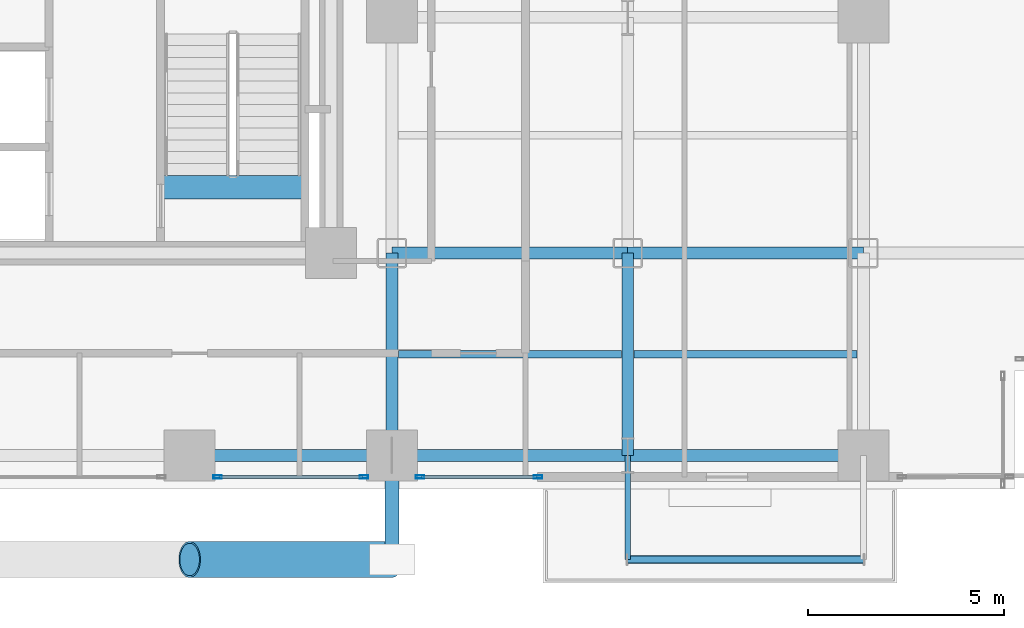
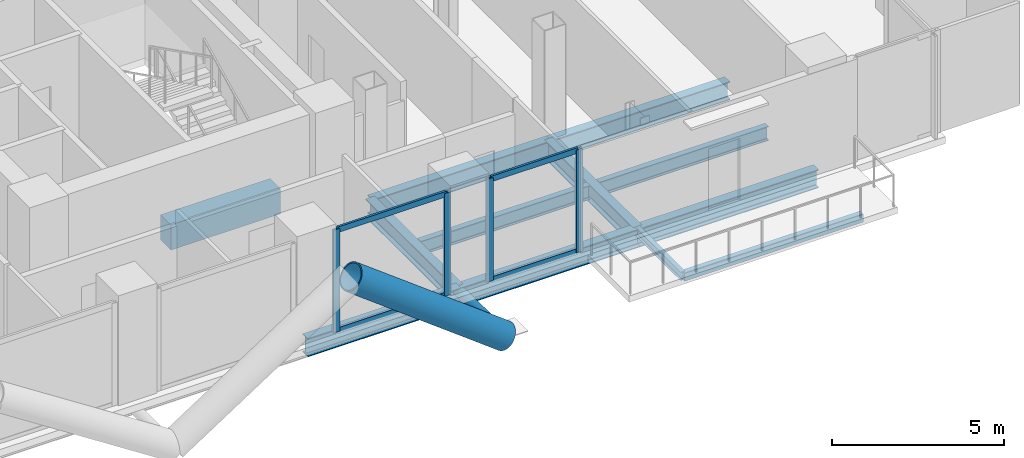
# One storey, part 8 of 27: 12 beams, 10 members, 2 elements without a shape of their own.
"""IFC4 building model written with IfcOpenShell, lengths in metres."""

from ifc_helpers import new_model, si_unit, direction, frame, origin, origin_2d, place, context, subcontext, project, spatial, rectangle, hollow_rectangle, hollow_circle, i_section, extrude, material, layer, layer_set, material_profile, profile_set, type_object, element, aggregate, save


model = new_model("IFC4")

# Units and contexts
model_context = context("Model", 3, precision=1e-05, world=origin(), true_north=direction((0.0, 1.0)))
body_context = subcontext(model_context, "Body", "Model", "MODEL_VIEW")
ifc_project = project(units=[si_unit("LENGTHUNIT", "METRE"), si_unit("AREAUNIT", "SQUARE_METRE"), si_unit("VOLUMEUNIT", "CUBIC_METRE"), si_unit("PLANEANGLEUNIT", "RADIAN"), si_unit("MASSUNIT", "GRAM", prefix="KILO"), si_unit("THERMODYNAMICTEMPERATUREUNIT", "KELVIN"), si_unit("POWERUNIT", "WATT")], contexts=[model_context])

# Site, building, storey
site_placement = place(None, origin())
site = spatial("IfcSite", under=ifc_project, at=site_placement, CompositionType="ELEMENT")
building_placement = place(site_placement, origin())
building = spatial("IfcBuilding", under=site, at=building_placement, Name="Svarakhadi Broadcast Tower", CompositionType="ELEMENT")
storey_placement = place(building_placement, frame((0.0, 0.0, 44.10009765625)))
storey = spatial("IfcBuildingStorey", under=building, at=storey_placement, Name="L09", CompositionType="ELEMENT", Elevation=44.10009765625)

# Beams
ifc_material_1 = material(Name="Steel S355J2 (IS 2062 E350C)", Category="steel")
ifc_material_profile_1 = material_profile(ifc_material_1, i_section(OverallWidth=0.199951171875, OverallDepth=0.5, WebThickness=0.01025390625, FlangeThickness=0.01611328125, FilletRadius=0.02099609375, at=origin_2d()), Name="NPB 500x200x91")
ifc_profile_set_1 = profile_set([ifc_material_profile_1], Name="Steel S355J2 (IS 2062 E350C)")
beam_type_1 = type_object("IfcBeamType", Name="Beam_NPB500", PredefinedType="BEAM", material=ifc_profile_set_1)
for number, where, z_axis, x_axis, name in (
    (1, (35.31005859375, 3.425048828125, -0.5), (1.0, 0.0, 0.0), (0.0, 1.0, 0.0), "L09 Secondary Composite Beam SB022"),
    (2, (41.31005859375, 3.425048828125, -0.5), (1.0, 0.0, 0.0), (0.0, 1.0, 0.0), "L09 Secondary Composite Beam SB025"),
):
    element("IfcBeam", number, at=place(storey_placement, frame(where, z_axis=z_axis, x_axis=x_axis)), inside=storey, type_object=beam_type_1, Name=name, PredefinedType="BEAM", context=body_context, shape_type="SweptSolid", body=[
        extrude(i_section(OverallWidth=0.199951171875, OverallDepth=0.5, WebThickness=0.01025390625, FlangeThickness=0.01611328125, FilletRadius=0.02099609375, at=origin_2d()), origin(), (0.0, 0.0, 1.0), 5.679931640625),
    ])

# Curtain wall, members
ifc_material_2 = material(Name="Anodised Bronze Aluminium AA 6063-T6", Category="aluminium")
ifc_layer = layer(ifc_material_2, 0.219970703125)
ifc_layer_set = layer_set([ifc_layer], Name="Anodised Bronze Aluminium AA 6063-T6")
curtain_wall_type = type_object("IfcCurtainWallType", Name="CW_Sys_02", PredefinedType="NOTDEFINED", material=ifc_layer_set)
curtain_wall_1_placement = place(storey_placement, origin())
curtain_wall_1 = element("IfcCurtainWall", 3, at=curtain_wall_1_placement, inside=storey, type_object=curtain_wall_type, Name="L09 South Curtain Wall 17 Bay 1", PredefinedType="NOTDEFINED")
ifc_material_profile_2 = material_profile(ifc_material_2, hollow_rectangle(XDim=0.0849609375, YDim=0.219970703125, WallThickness=0.006103515625, at=origin_2d()), Name="ALU MULLION 220x85x6")
ifc_profile_set_2 = profile_set([ifc_material_profile_2], Name="Anodised Bronze Aluminium AA 6063-T6")
member_type_1 = type_object("IfcMemberType", Name="CW_Sys_02_Mul", PredefinedType="MULLION", material=ifc_profile_set_2)
member_1_placement = place(storey_placement, frame((38.867431640625, 0.300048828125, 0.0), z_axis=(0.0, 0.0, 1.0), x_axis=(0.0, -1.0, 0.0)))
member_1 = element("IfcMember", 4, at=member_1_placement, type_object=member_type_1, Name="CW-02 mullion 1", PredefinedType="MULLION", context=body_context, shape_type="SweptSolid", body=[
    extrude(hollow_rectangle(XDim=0.0849609375, YDim=0.219970703125, WallThickness=0.006103515625, at=origin_2d()), origin(), (0.0, 0.0, 1.0), 3.64990234375),
])
member_2_placement = place(storey_placement, frame((35.862548828125, 0.300048828125, 0.0), z_axis=(0.0, 0.0, 1.0), x_axis=(0.0, -1.0, 0.0)))
member_2 = element("IfcMember", 5, at=member_2_placement, type_object=member_type_1, Name="CW-02 mullion 2", PredefinedType="MULLION", context=body_context, shape_type="SweptSolid", body=[
    extrude(hollow_rectangle(XDim=0.0849609375, YDim=0.219970703125, WallThickness=0.006103515625, at=origin_2d()), origin(), (0.0, 0.0, 1.0), 3.64990234375),
])

curtain_wall_2_placement = place(storey_placement, origin())
curtain_wall_2 = element("IfcCurtainWall", 6, at=curtain_wall_2_placement, inside=storey, type_object=curtain_wall_type, Name="L09 South Curtain Wall 17 Bay 2", PredefinedType="NOTDEFINED")
member_3_placement = place(storey_placement, frame((34.4375, 0.300048828125, 0.0), z_axis=(0.0, 0.0, 1.0), x_axis=(0.0, -1.0, 0.0)))
member_3 = element("IfcMember", 7, at=member_3_placement, type_object=member_type_1, Name="CW-02 mullion 1", PredefinedType="MULLION", context=body_context, shape_type="SweptSolid", body=[
    extrude(hollow_rectangle(XDim=0.0849609375, YDim=0.219970703125, WallThickness=0.006103515625, at=origin_2d()), origin(), (0.0, 0.0, 1.0), 3.64990234375),
])
member_4_placement = place(storey_placement, frame((30.71240234375, 0.300048828125, 0.0), z_axis=(0.0, 0.0, 1.0), x_axis=(0.0, -1.0, 0.0)))
member_4 = element("IfcMember", 8, at=member_4_placement, type_object=member_type_1, Name="CW-02 mullion 2", PredefinedType="MULLION", context=body_context, shape_type="SweptSolid", body=[
    extrude(hollow_rectangle(XDim=0.0849609375, YDim=0.219970703125, WallThickness=0.006103515625, at=origin_2d()), origin(), (0.0, 0.0, 1.0), 3.64990234375),
])

# Member
ifc_material_profile_3 = material_profile(ifc_material_2, hollow_rectangle(XDim=0.074951171875, YDim=0.199951171875, WallThickness=0.0048828125, at=origin_2d()), Name="ALU TRANSOM 200x75x5")
ifc_profile_set_3 = profile_set([ifc_material_profile_3], Name="Anodised Bronze Aluminium AA 6063-T6")
member_type_2 = type_object("IfcMemberType", Name="CW_Sys_02_Trn", PredefinedType="USERDEFINED", material=ifc_profile_set_3)
member_5_placement = place(storey_placement, frame((38.824951171875, 0.300048828125, 0.037353515625), z_axis=(-1.0, 0.0, 0.0), x_axis=(0.0, -1.0, 0.0)))
member_5 = element("IfcMember", 9, at=member_5_placement, type_object=member_type_2, Name="CW-02 transom 1.1", ObjectType="TRANSOM", PredefinedType="USERDEFINED", context=body_context, shape_type="SweptSolid", body=[
    extrude(hollow_rectangle(XDim=0.074951171875, YDim=0.199951171875, WallThickness=0.0048828125, at=origin_2d()), origin(), (0.0, 0.0, 1.0), 2.919921875),
])

member_6_placement = place(storey_placement, frame((38.824951171875, 0.300048828125, 3.6123046875), z_axis=(-1.0, 0.0, 0.0), x_axis=(0.0, -1.0, 0.0)))
member_6 = element("IfcMember", 10, at=member_6_placement, type_object=member_type_2, Name="CW-02 transom 1.2", ObjectType="TRANSOM", PredefinedType="USERDEFINED", context=body_context, shape_type="SweptSolid", body=[
    extrude(hollow_rectangle(XDim=0.074951171875, YDim=0.199951171875, WallThickness=0.0048828125, at=origin_2d()), origin(), (0.0, 0.0, 1.0), 2.919921875),
])

aggregate(curtain_wall_1, [member_1, member_2, member_5, member_6])

member_7_placement = place(storey_placement, frame((34.39501953125, 0.300048828125, 0.037353515625), z_axis=(-1.0, 0.0, 0.0), x_axis=(0.0, -1.0, 0.0)))
member_7 = element("IfcMember", 11, at=member_7_placement, type_object=member_type_2, Name="CW-02 transom 1.1", ObjectType="TRANSOM", PredefinedType="USERDEFINED", context=body_context, shape_type="SweptSolid", body=[
    extrude(hollow_rectangle(XDim=0.074951171875, YDim=0.199951171875, WallThickness=0.0048828125, at=origin_2d()), origin(), (0.0, 0.0, 1.0), 3.64013671875),
])

member_8_placement = place(storey_placement, frame((34.39501953125, 0.300048828125, 3.6123046875), z_axis=(-1.0, 0.0, 0.0), x_axis=(0.0, -1.0, 0.0)))
member_8 = element("IfcMember", 12, at=member_8_placement, type_object=member_type_2, Name="CW-02 transom 1.2", ObjectType="TRANSOM", PredefinedType="USERDEFINED", context=body_context, shape_type="SweptSolid", body=[
    extrude(hollow_rectangle(XDim=0.074951171875, YDim=0.199951171875, WallThickness=0.0048828125, at=origin_2d()), origin(), (0.0, 0.0, 1.0), 3.64013671875),
])

aggregate(curtain_wall_2, [member_3, member_4, member_7, member_8])

# Beam
ifc_material_3 = material(Name="Concrete C50/60 (IS 456 M60)", Category="concrete")
ifc_material_profile_4 = material_profile(ifc_material_3, rectangle(XDim=0.60009765625, YDim=0.89990234375, at=origin_2d()), Name="RC 600x900")
ifc_profile_set_4 = profile_set([ifc_material_profile_4], Name="Concrete C50/60 (IS 456 M60)")
beam_type_2 = type_object("IfcBeamType", Name="Coupling_RC600", PredefinedType="USERDEFINED", material=ifc_profile_set_4)
beam_1_placement = place(storey_placement, frame((29.260009765625, 7.679931640625, -0.4501953125), z_axis=(1.0, 0.0, 0.0), x_axis=(0.0, 1.0, 0.0)))
element("IfcBeam", 13, at=beam_1_placement, inside=storey, type_object=beam_type_2, Name="L09 Stair ST-02 Landing Throat Trimmer Beam CB-01", ObjectType="GIRDER", PredefinedType="USERDEFINED", context=body_context, shape_type="SweptSolid", body=[
    extrude(rectangle(XDim=0.60009765625, YDim=0.89990234375, at=origin_2d()), origin(), (0.0, 0.0, 1.0), 3.679931640625),
])

# Members
ifc_material_4 = material(Name="Steel S460ML (IS 2062 E450BR)", Category="steel")
ifc_material_profile_5 = material_profile(ifc_material_4, hollow_circle(Radius=0.45703125, WallThickness=0.044921875, at=origin_2d()), Name="CHS 914x45")
ifc_profile_set_5 = profile_set([ifc_material_profile_5], Name="Steel S460ML (IS 2062 E450BR)")
member_type_3 = type_object("IfcMemberType", Name="Exo_Brace_CHS914", PredefinedType="BRACE", material=ifc_profile_set_5)
member_9_placement = place(storey_placement, frame((35.14990234375, -1.800048828125, -0.427978515625), z_axis=(-0.797188602897, 0.0, 0.603730346605), x_axis=(0.0, -1.0, 0.0)))
element("IfcMember", 14, at=member_9_placement, inside=storey, type_object=member_type_3, Name="L09 Exposed Bronze Exoskeleton Diagonal S05", PredefinedType="BRACE", context=body_context, shape_type="SweptSolid", body=[
    extrude(hollow_circle(Radius=0.45703125, WallThickness=0.044921875, at=origin_2d()), origin(), (0.0, 0.0, 1.0), 6.4599609375),
])
ifc_material_profile_6 = material_profile(ifc_material_4, hollow_circle(Radius=0.177734375, WallThickness=0.02001953125, at=origin_2d()), Name="CHS 355.6x20")
ifc_profile_set_6 = profile_set([ifc_material_profile_6], Name="Steel S460ML (IS 2062 E450BR)")
member_type_4 = type_object("IfcMemberType", Name="Exo_Radial_Strut_Z1", PredefinedType="STRUT", material=ifc_profile_set_6)
member_10_placement = place(storey_placement, frame((35.14990234375, -1.800048828125, -0.427978515625), z_axis=(0.0, 1.0, 0.0), x_axis=(-1.0, 0.0, 0.0)))
element("IfcMember", 15, at=member_10_placement, inside=storey, type_object=member_type_4, Name="L09 Exoskeleton Radial Tie Strut S03", PredefinedType="STRUT", context=body_context, shape_type="SweptSolid", body=[
    extrude(hollow_circle(Radius=0.177734375, WallThickness=0.02001953125, at=origin_2d()), origin(), (0.0, 0.0, 1.0), 2.650146484375),
])

# Beams
ifc_material_profile_7 = material_profile(ifc_material_1, i_section(OverallWidth=0.300048828125, OverallDepth=0.64990234375, WebThickness=0.01611328125, FlangeThickness=0.031005859375, FilletRadius=0.027099609375, at=origin_2d()), Name="WPB 650x300x225")
ifc_profile_set_7 = profile_set([ifc_material_profile_7], Name="Steel S355J2 (IS 2062 E350C)")
beam_type_3 = type_object("IfcBeamType", Name="Girder_WPB650", PredefinedType="USERDEFINED", material=ifc_profile_set_7)
beam_2_placement = place(storey_placement, frame((30.0, 0.85009765625, -0.5751953125), z_axis=(1.0, 0.0, 0.0), x_axis=(0.0, 1.0, 0.0)))
element("IfcBeam", 16, at=beam_2_placement, inside=storey, type_object=beam_type_3, Name="L09 Primary E-W Girder G008", ObjectType="GIRDER", PredefinedType="USERDEFINED", context=body_context, shape_type="SweptSolid", body=[
    extrude(i_section(OverallWidth=0.300048828125, OverallDepth=0.64990234375, WebThickness=0.01611328125, FlangeThickness=0.031005859375, FilletRadius=0.027099609375, at=origin_2d()), origin(), (0.0, 0.0, 1.0), 5.14990234375),
])
for number, where, z_axis, x_axis, name in (
    (17, (35.14990234375, 0.85009765625, -0.5751953125), (1.0, 0.0, 0.0), (0.0, 1.0, 0.0), "L09 Primary E-W Girder G009"),
    (18, (41.14990234375, 0.85009765625, -0.5751953125), (1.0, 0.0, 0.0), (0.0, 1.0, 0.0), "L09 Primary E-W Girder G010"),
    (19, (35.14990234375, 6.0, -0.5751953125), (1.0, 0.0, 0.0), (0.0, 1.0, 0.0), "L09 Primary E-W Girder G016"),
    (20, (41.14990234375, 6.0, -0.5751953125), (1.0, 0.0, 0.0), (0.0, 1.0, 0.0), "L09 Primary E-W Girder G017"),
):
    element("IfcBeam", number, at=place(storey_placement, frame(where, z_axis=z_axis, x_axis=x_axis)), inside=storey, type_object=beam_type_3, Name=name, ObjectType="GIRDER", PredefinedType="USERDEFINED", context=body_context, shape_type="SweptSolid", body=[
        extrude(i_section(OverallWidth=0.300048828125, OverallDepth=0.64990234375, WebThickness=0.01611328125, FlangeThickness=0.031005859375, FilletRadius=0.027099609375, at=origin_2d()), origin(), (0.0, 0.0, 1.0), 6.0),
    ])
for number, where, z_axis, x_axis, name in (
    (21, (35.14990234375, 0.85009765625, -0.5751953125), (0.0, 1.0, 0.0), (-1.0, 0.0, 0.0), "L09 Primary N-S Girder G076"),
    (22, (41.14990234375, 0.85009765625, -0.5751953125), (0.0, 1.0, 0.0), (-1.0, 0.0, 0.0), "L09 Primary N-S Girder G079"),
):
    element("IfcBeam", number, at=place(storey_placement, frame(where, z_axis=z_axis, x_axis=x_axis)), inside=storey, type_object=beam_type_3, Name=name, ObjectType="GIRDER", PredefinedType="USERDEFINED", context=body_context, shape_type="SweptSolid", body=[
        extrude(i_section(OverallWidth=0.300048828125, OverallDepth=0.64990234375, WebThickness=0.01611328125, FlangeThickness=0.031005859375, FilletRadius=0.027099609375, at=origin_2d()), origin(), (0.0, 0.0, 1.0), 5.14990234375),
    ])
ifc_material_profile_8 = material_profile(ifc_material_1, i_section(OverallWidth=0.14990234375, OverallDepth=0.300048828125, WebThickness=0.007080078125, FlangeThickness=0.0107421875, FilletRadius=0.014892578125, at=origin_2d()), Name="NPB 300x150x37")
ifc_profile_set_8 = profile_set([ifc_material_profile_8], Name="Steel S355J2 (IS 2062 E350C)")
beam_type_4 = type_object("IfcBeamType", Name="Spandrel_NPB300", PredefinedType="SPANDREL", material=ifc_profile_set_8)
beam_3_placement = place(storey_placement, frame((41.14990234375, 0.85009765625, -0.400146484375), z_axis=(0.0, -1.0, 0.0), x_axis=(1.0, 0.0, 0.0)))
element("IfcBeam", 23, at=beam_3_placement, inside=storey, type_object=beam_type_4, Name="L09 Balcony Cantilever Bracket 1A", PredefinedType="SPANDREL", context=body_context, shape_type="SweptSolid", body=[
    extrude(i_section(OverallWidth=0.14990234375, OverallDepth=0.300048828125, WebThickness=0.007080078125, FlangeThickness=0.0107421875, FilletRadius=0.014892578125, at=origin_2d()), origin(), (0.0, 0.0, 1.0), 2.650146484375),
])
ifc_material_profile_9 = material_profile(ifc_material_4, hollow_rectangle(XDim=0.199951171875, YDim=0.300048828125, WallThickness=0.012451171875, InnerFilletRadius=0.012451171875, OuterFilletRadius=0.02490234375, at=origin_2d()), Name="RHS 300x200x12.5")
ifc_profile_set_9 = profile_set([ifc_material_profile_9], Name="Steel S460ML (IS 2062 E450BR)")
beam_type_5 = type_object("IfcBeamType", Name="Spandrel_RHS300", PredefinedType="SPANDREL", material=ifc_profile_set_9)
beam_4_placement = place(storey_placement, frame((41.14990234375, -1.800048828125, -0.400146484375), z_axis=(1.0, 0.0, 0.0), x_axis=(0.0, 1.0, 0.0)))
element("IfcBeam", 24, at=beam_4_placement, inside=storey, type_object=beam_type_5, Name="L09 Balcony Outer Spandrel 1F", PredefinedType="SPANDREL", context=body_context, shape_type="SweptSolid", body=[
    extrude(hollow_rectangle(XDim=0.199951171875, YDim=0.300048828125, WallThickness=0.012451171875, InnerFilletRadius=0.012451171875, OuterFilletRadius=0.02490234375, at=origin_2d()), origin(), (0.0, 0.0, 1.0), 6.0),
])

save(model, "model.ifc")
